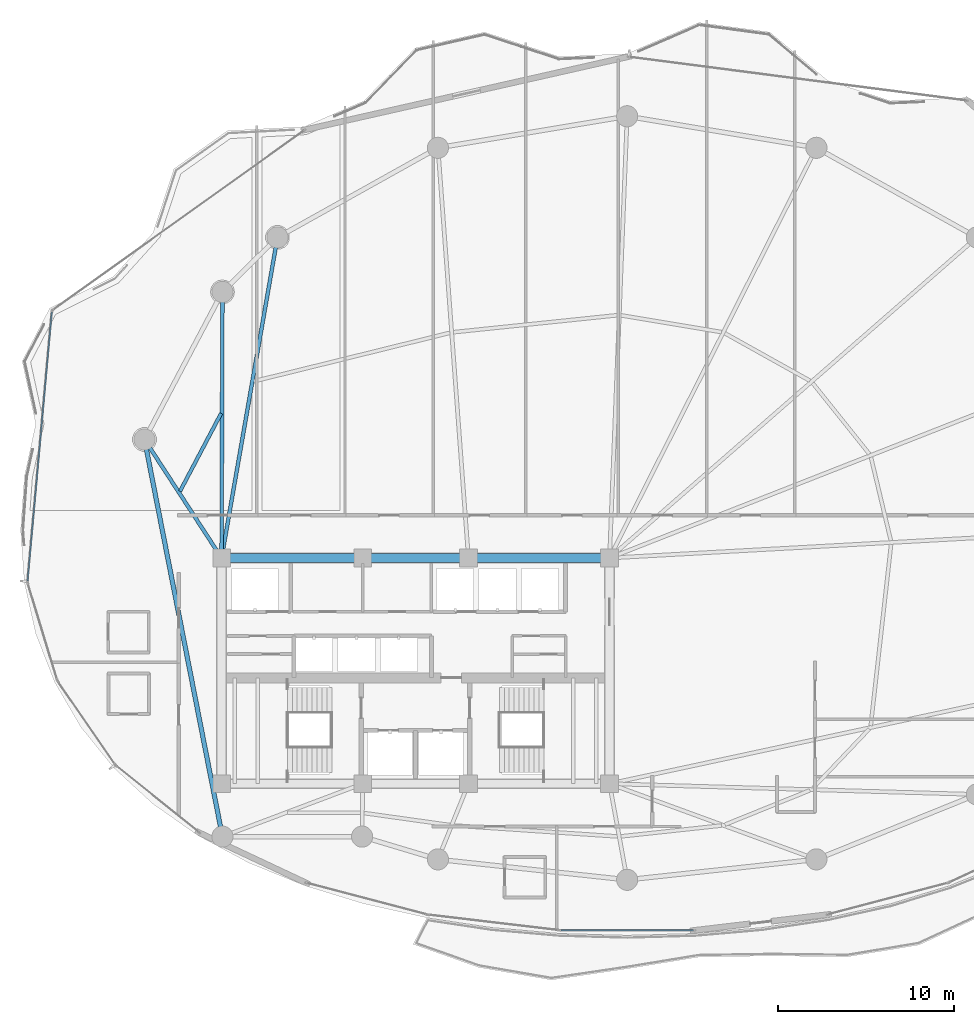
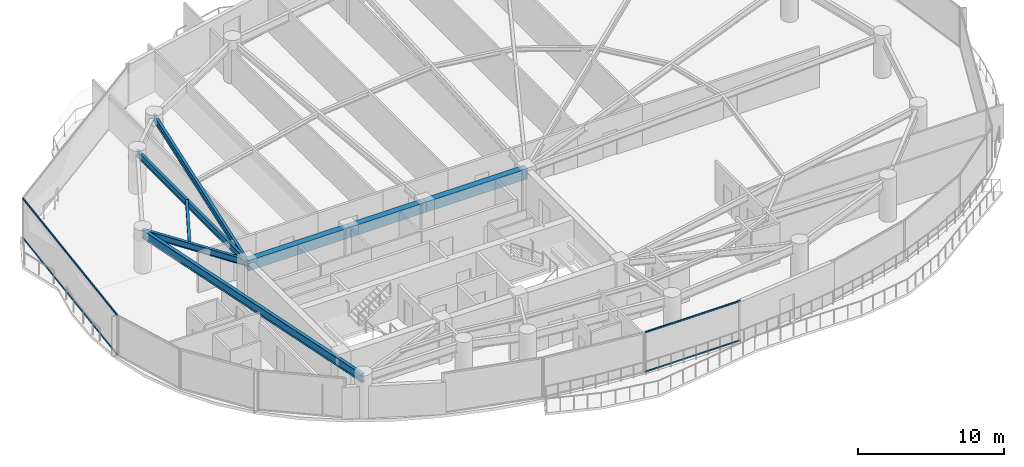
# One storey, part 9 of 33: 8 beams, 4 members, 2 elements without a shape of their own.
"""IFC4 building model written with IfcOpenShell, lengths in metres."""

from ifc_helpers import new_model, si_unit, direction, frame, origin, origin_2d, place, context, subcontext, project, spatial, rectangle, hollow_rectangle, i_section, extrude, material, layer, layer_set, material_profile, profile_set, type_object, element, aggregate, save


model = new_model("IFC4")

# Units and contexts
model_context = context("Model", 3, precision=1e-05, world=origin(), true_north=direction((0.0, 1.0)))
body_context = subcontext(model_context, "Body", "Model", "MODEL_VIEW")
ifc_project = project(units=[si_unit("LENGTHUNIT", "METRE"), si_unit("AREAUNIT", "SQUARE_METRE"), si_unit("VOLUMEUNIT", "CUBIC_METRE"), si_unit("PLANEANGLEUNIT", "RADIAN"), si_unit("MASSUNIT", "GRAM", prefix="KILO")], contexts=[model_context])

# Site, building, storey
site_placement = place(None, origin())
site = spatial("IfcSite", under=ifc_project, at=site_placement, CompositionType="ELEMENT")
building_placement = place(site_placement, origin())
building = spatial("IfcBuilding", under=site, at=building_placement, Name="Kazevale Care Tower and Concert Hall", CompositionType="ELEMENT")
storey_placement = place(building_placement, frame((0.0, 0.0, 153.0)))
storey = spatial("IfcBuildingStorey", under=building, at=storey_placement, Name="L40", CompositionType="ELEMENT", Elevation=153.0)

# Curtain wall, members
ifc_material_1 = material(Name="Aluminium 6063-T6 and Low-E Glass", Category="aluminium")
ifc_layer_1 = layer(ifc_material_1, 0.179931640625)
ifc_layer_set_1 = layer_set([ifc_layer_1], Name="Aluminium 6063-T6 and Low-E Glass")
curtain_wall_type_1 = type_object("IfcCurtainWallType", Name="Waist & Upper Residential Curtain Wall CW-4", PredefinedType="NOTDEFINED", material=ifc_layer_set_1)
curtain_wall_1_placement = place(storey_placement, origin())
curtain_wall_1 = element("IfcCurtainWall", 1, at=curtain_wall_1_placement, inside=storey, type_object=curtain_wall_type_1, Name="cw:L40:f13", PredefinedType="NOTDEFINED")
ifc_material_2 = material(Name="Aluminium 6063-T6", Category="aluminium")
ifc_material_profile_1 = material_profile(ifc_material_2, hollow_rectangle(XDim=0.080078125, YDim=0.139892578125, WallThickness=0.00390625, at=origin_2d()), Name="ALU80x140x4")
ifc_profile_set_1 = profile_set([ifc_material_profile_1], Name="Aluminium 6063-T6")
member_type_1 = type_object("IfcMemberType", Name="CW-4 Transom ALU80x140x4", PredefinedType="USERDEFINED", material=ifc_profile_set_1)
member_1_placement = place(storey_placement, frame((11.002197265625, 35.103759765625, 0.0400390625), z_axis=(0.089684222528, 0.995970250675, 0.0), x_axis=(-0.995970250675, 0.089684222528, 0.0)))
member_1 = element("IfcMember", 2, at=member_1_placement, type_object=member_type_1, Name="CW-4 transom 1.1", ObjectType="TRANSOM", PredefinedType="USERDEFINED", context=body_context, shape_type="SweptSolid", body=[
    extrude(hollow_rectangle(XDim=0.080078125, YDim=0.139892578125, WallThickness=0.00390625, at=origin_2d()), origin(), (0.0, 0.0, 1.0), 15.304443359375),
])
member_2_placement = place(storey_placement, frame((11.002197265625, 35.103759765625, 3.320068359375), z_axis=(0.089684222528, 0.995970250675, 0.0), x_axis=(-0.995970250675, 0.089684222528, 0.0)))
member_2 = element("IfcMember", 3, at=member_2_placement, type_object=member_type_1, Name="CW-4 transom 1.2", ObjectType="TRANSOM", PredefinedType="USERDEFINED", context=body_context, shape_type="SweptSolid", body=[
    extrude(hollow_rectangle(XDim=0.080078125, YDim=0.139892578125, WallThickness=0.00390625, at=origin_2d()), origin(), (0.0, 0.0, 1.0), 15.304443359375),
])
aggregate(curtain_wall_1, [member_1, member_2])

ifc_layer_2 = layer(ifc_material_1, 0.179931640625)
ifc_layer_set_2 = layer_set([ifc_layer_2], Name="Aluminium 6063-T6 and Low-E Glass")
curtain_wall_type_2 = type_object("IfcCurtainWallType", Name="Sheltered Concave Balcony Curtain Wall CW-5", PredefinedType="NOTDEFINED", material=ifc_layer_set_2)
curtain_wall_2_placement = place(storey_placement, origin())
curtain_wall_2 = element("IfcCurtainWall", 4, at=curtain_wall_2_placement, inside=storey, type_object=curtain_wall_type_2, Name="cw:L40:f06", PredefinedType="NOTDEFINED")
ifc_material_profile_2 = material_profile(ifc_material_2, hollow_rectangle(XDim=0.074951171875, YDim=0.1201171875, WallThickness=0.00390625, at=origin_2d()), Name="ALU75x120x4")
ifc_profile_set_2 = profile_set([ifc_material_profile_2], Name="Aluminium 6063-T6")
member_type_2 = type_object("IfcMemberType", Name="CW-5 Transom ALU75x120x4", PredefinedType="USERDEFINED", material=ifc_profile_set_2)
member_3_placement = place(storey_placement, frame((48.76611328125, 15.2890625, 0.03759765625), z_axis=(-1.0, 0.0, 0.0), x_axis=(0.0, -1.0, 0.0)))
member_3 = element("IfcMember", 5, at=member_3_placement, type_object=member_type_2, Name="CW-5 transom 1.1", ObjectType="TRANSOM", PredefinedType="USERDEFINED", context=body_context, shape_type="SweptSolid", body=[
    extrude(hollow_rectangle(XDim=0.074951171875, YDim=0.1201171875, WallThickness=0.00390625, at=origin_2d()), origin(), (0.0, 0.0, 1.0), 7.5322265625),
])
member_4_placement = place(storey_placement, frame((48.76611328125, 15.2890625, 3.322509765625), z_axis=(-1.0, 0.0, 0.0), x_axis=(0.0, -1.0, 0.0)))
member_4 = element("IfcMember", 6, at=member_4_placement, type_object=member_type_2, Name="CW-5 transom 1.2", ObjectType="TRANSOM", PredefinedType="USERDEFINED", context=body_context, shape_type="SweptSolid", body=[
    extrude(hollow_rectangle(XDim=0.074951171875, YDim=0.1201171875, WallThickness=0.00390625, at=origin_2d()), origin(), (0.0, 0.0, 1.0), 7.5322265625),
])
aggregate(curtain_wall_2, [member_3, member_4])

# Beams
ifc_material_3 = material(Name="Concrete C60", Category="concrete")
ifc_material_profile_3 = material_profile(ifc_material_3, rectangle(XDim=0.5, YDim=0.85009765625, at=origin_2d()), Name="RC-B500x850")
ifc_profile_set_3 = profile_set([ifc_material_profile_3], Name="Concrete C60")
beam_type_1 = type_object("IfcBeamType", Name="Core Coupling Beam RC500x850", PredefinedType="LINTEL", material=ifc_profile_set_3)
beam_1_placement = place(storey_placement, frame((44.0, 36.39990234375, 2.93505859375), z_axis=(-1.0, 0.0, 0.0), x_axis=(0.0, -1.0, 0.0)))
element("IfcBeam", 7, at=beam_1_placement, inside=storey, type_object=beam_type_1, Name="beam:L40:coretie:5", PredefinedType="LINTEL", context=body_context, shape_type="SweptSolid", body=[
    extrude(rectangle(XDim=0.5, YDim=0.85009765625, at=origin_2d()), origin(), (0.0, 0.0, 1.0), 8.0),
])
beam_2_placement = place(storey_placement, frame((36.0, 36.39990234375, 2.93505859375), z_axis=(-1.0, 0.0, 0.0), x_axis=(0.0, -1.0, 0.0)))
element("IfcBeam", 8, at=beam_2_placement, inside=storey, type_object=beam_type_1, Name="beam:L40:coretie:6", PredefinedType="LINTEL", context=body_context, shape_type="SweptSolid", body=[
    extrude(rectangle(XDim=0.5, YDim=0.85009765625, at=origin_2d()), origin(), (0.0, 0.0, 1.0), 6.0),
])
beam_3_placement = place(storey_placement, frame((30.0, 36.39990234375, 2.93505859375), z_axis=(-1.0, 0.0, 0.0), x_axis=(0.0, -1.0, 0.0)))
element("IfcBeam", 9, at=beam_3_placement, inside=storey, type_object=beam_type_1, Name="beam:L40:coretie:7", PredefinedType="LINTEL", context=body_context, shape_type="SweptSolid", body=[
    extrude(rectangle(XDim=0.5, YDim=0.85009765625, at=origin_2d()), origin(), (0.0, 0.0, 1.0), 8.0),
])
ifc_material_4 = material(Name="Steel ASTM A572 Gr 50", Category="steel")
ifc_material_profile_4 = material_profile(ifc_material_4, i_section(OverallWidth=0.2119140625, OverallDepth=0.5439453125, WebThickness=0.01318359375, FlangeThickness=0.021240234375, at=origin_2d()), Name="W530x123")
ifc_profile_set_4 = profile_set([ifc_material_profile_4], Name="Steel ASTM A572 Gr 50")
beam_type_2 = type_object("IfcBeamType", Name="Radial Floor Girder W530x123", PredefinedType="BEAM", material=ifc_profile_set_4)
beam_4_placement = place(storey_placement, frame((22.0, 36.39990234375, 3.087890625), z_axis=(0.171769935245, 0.985137091651, 0.0), x_axis=(-0.985137091651, 0.171769935245, 0.0)))
element("IfcBeam", 10, at=beam_4_placement, inside=storey, type_object=beam_type_2, Name="beam:L40:rad:07", PredefinedType="BEAM", context=body_context, shape_type="SweptSolid", body=[
    extrude(i_section(OverallWidth=0.2119140625, OverallDepth=0.5439453125, WebThickness=0.01318359375, FlangeThickness=0.021240234375, at=origin_2d()), origin(), (0.0, 0.0, 1.0), 18.454345703125),
])
beam_5_placement = place(storey_placement, frame((22.0, 36.39990234375, 3.087890625), z_axis=(0.003316650851, 0.999994499898, 0.0), x_axis=(-0.999994499898, 0.003316650851, 0.0)))
element("IfcBeam", 11, at=beam_5_placement, inside=storey, type_object=beam_type_2, Name="beam:L40:rad:08", PredefinedType="BEAM", context=body_context, shape_type="SweptSolid", body=[
    extrude(i_section(OverallWidth=0.2119140625, OverallDepth=0.5439453125, WebThickness=0.01318359375, FlangeThickness=0.021240234375, at=origin_2d()), origin(), (0.0, 0.0, 1.0), 15.090087890625),
])
beam_6_placement = place(storey_placement, frame((22.0, 36.39990234375, 3.087890625), z_axis=(-0.5451617613, 0.83833087383, 0.0), x_axis=(-0.83833087383, -0.5451617613, 0.0)))
element("IfcBeam", 12, at=beam_6_placement, inside=storey, type_object=beam_type_2, Name="beam:L40:rad:09", PredefinedType="BEAM", context=body_context, shape_type="SweptSolid", body=[
    extrude(i_section(OverallWidth=0.2119140625, OverallDepth=0.5439453125, WebThickness=0.01318359375, FlangeThickness=0.021240234375, at=origin_2d()), origin(), (0.0, 0.0, 1.0), 8.01611328125),
])
ifc_material_profile_5 = material_profile(ifc_material_4, i_section(OverallWidth=0.205078125, OverallDepth=0.35400390625, WebThickness=0.009521484375, FlangeThickness=0.016845703125, at=origin_2d()), Name="W360x79")
ifc_profile_set_5 = profile_set([ifc_material_profile_5], Name="Steel ASTM A572 Gr 50")
beam_type_3 = type_object("IfcBeamType", Name="Secondary Floor Joist W360x79", PredefinedType="JOIST", material=ifc_profile_set_5)
beam_7_placement = place(storey_placement, frame((21.97802734375, 44.60693359375, 3.18310546875), z_axis=(-0.466809583155, -0.884357853515, 0.0), x_axis=(0.884357853515, -0.466809583155, 0.0)))
element("IfcBeam", 13, at=beam_7_placement, inside=storey, type_object=beam_type_3, Name="beam:L40:joist:08", PredefinedType="JOIST", context=body_context, shape_type="SweptSolid", body=[
    extrude(i_section(OverallWidth=0.205078125, OverallDepth=0.35400390625, WebThickness=0.009521484375, FlangeThickness=0.016845703125, at=origin_2d()), origin(), (0.0, 0.0, 1.0), 4.99560546875),
])
ifc_material_profile_6 = material_profile(ifc_material_4, i_section(OverallWidth=0.256103515625, OverallDepth=0.693115234375, WebThickness=0.014404296875, FlangeThickness=0.023681640625, at=origin_2d()), Name="W690x170")
ifc_profile_set_6 = profile_set([ifc_material_profile_6], Name="Steel ASTM A572 Gr 50")
beam_type_4 = type_object("IfcBeamType", Name="Waist Ring Beam W690x170", PredefinedType="BEAM", material=ifc_profile_set_6)
beam_8_placement = place(storey_placement, frame((17.6298828125, 43.1201171875, 3.013427734375), z_axis=(0.192602267784, -0.9812769061, 0.0), x_axis=(0.9812769061, 0.192602267784, 0.0)))
element("IfcBeam", 14, at=beam_8_placement, inside=storey, type_object=beam_type_4, Name="beam:L40:ring:09", PredefinedType="BEAM", context=body_context, shape_type="SweptSolid", body=[
    extrude(i_section(OverallWidth=0.256103515625, OverallDepth=0.693115234375, WebThickness=0.014404296875, FlangeThickness=0.023681640625, at=origin_2d()), origin(), (0.0, 0.0, 1.0), 22.94970703125),
])

save(model, "model.ifc")
